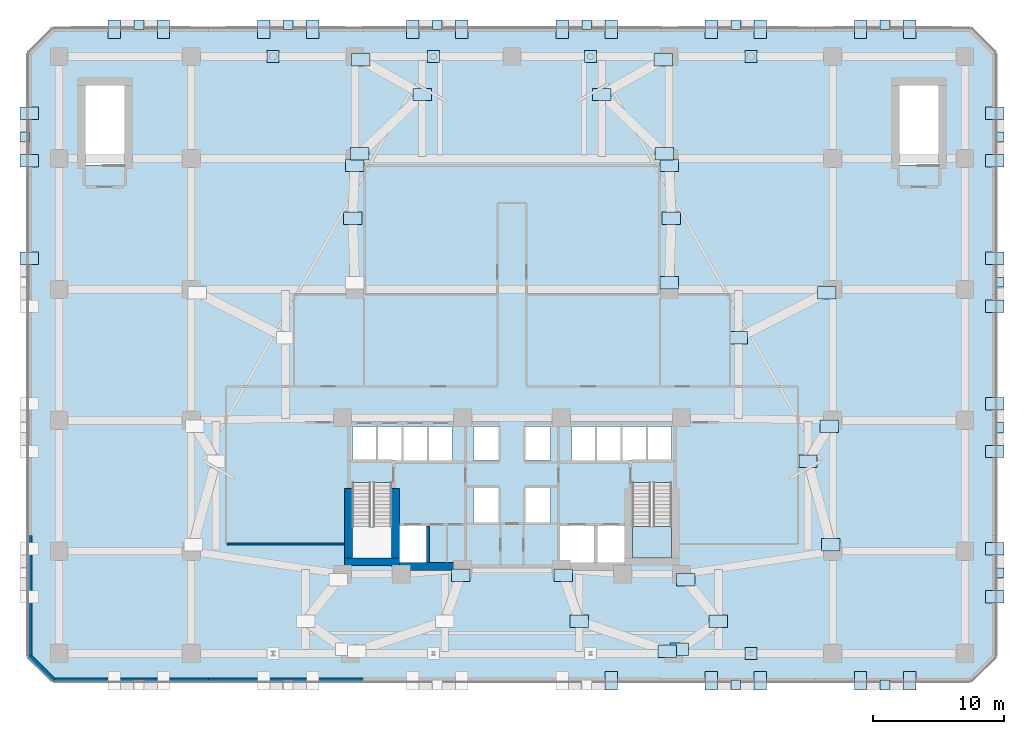
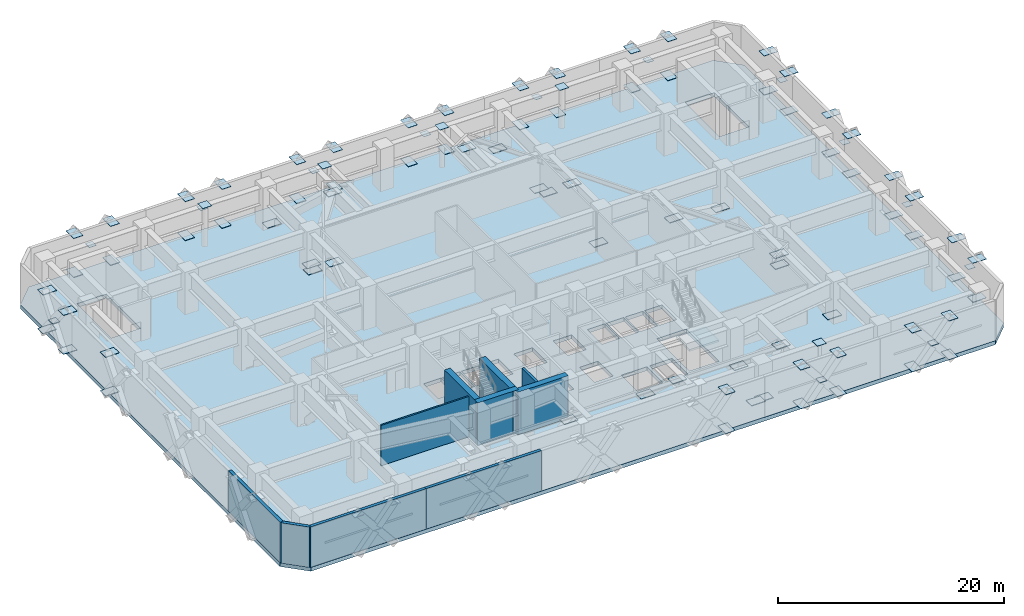
# One storey, part 8 of 14: 97 plates, 10 walls, 2 slabs, 1 element without a shape of its own.
"""IFC4 building model written with IfcOpenShell, lengths in metres."""

from ifc_helpers import new_model, si_unit, direction, frame, frame_2d, origin, origin_2d, place, context, subcontext, project, spatial, polyline, rectangle, outline, extrude, material, layer, layer_set, type_object, element, aggregate, save


model = new_model("IFC4")

# Units and contexts
model_context = context("Model", 3, precision=1e-05, world=origin(), true_north=direction((0.0, 1.0)))
body_context = subcontext(model_context, "Body", "Model", "MODEL_VIEW")
ifc_project = project(units=[si_unit("LENGTHUNIT", "METRE"), si_unit("AREAUNIT", "SQUARE_METRE"), si_unit("VOLUMEUNIT", "CUBIC_METRE"), si_unit("PLANEANGLEUNIT", "RADIAN"), si_unit("MASSUNIT", "GRAM", prefix="KILO")], contexts=[model_context])

# Site, building, storey
site_placement = place(None, origin())
site = spatial("IfcSite", under=ifc_project, at=site_placement, CompositionType="ELEMENT")
building_placement = place(site_placement, origin())
building = spatial("IfcBuilding", under=site, at=building_placement, Name="Quenlor Broadcast Tower", CompositionType="ELEMENT")
storey_placement = place(building_placement, frame((0.0, 0.0, 23.0)))
storey = spatial("IfcBuildingStorey", under=building, at=storey_placement, Name="L05", CompositionType="ELEMENT", Elevation=23.0)

# Plates
ifc_material_1 = material(Name="Steel S355", Category="steel")
ifc_layer_1 = layer(ifc_material_1, 0.031982421875)
ifc_layer_set_1 = layer_set([ifc_layer_1], Name="Lower Zone Setback Steel S355 Kink Cap Plate 920x920x32")
plate_type_1 = type_object("IfcPlateType", Name="Lower Zone Setback Steel S355 Kink Cap Plate 920x920x32", PredefinedType="USERDEFINED", material=ifc_layer_set_1)
for number, where, z_axis, x_axis, name in (
    (1, (-18.25, 22.800048828125, 4.33984375), (0.0, 0.0, 1.0), (1.0, 0.0, 0.0), "L05 Station Column Top Cap Plate SCW1"),
    (2, (18.25, 22.800048828125, 4.33984375), (0.0, 0.0, 1.0), (1.0, 0.0, 0.0), "L05 Station Column Top Cap Plate SCE1"),
    (3, (-6.0, 22.800048828125, 4.33984375), (0.0, 0.0, 1.0), (1.0, 0.0, 0.0), "L05 Station Column Top Cap Plate SCW2"),
    (4, (6.0, 22.800048828125, 4.33984375), (0.0, 0.0, 1.0), (1.0, 0.0, 0.0), "L05 Station Column Top Cap Plate SCE2"),
    (5, (18.25, -22.800048828125, 4.33984375), (0.0, 0.0, 1.0), (1.0, 0.0, 0.0), "L05 Station Column Top Cap Plate SPE1"),
):
    element("IfcPlate", number, at=place(storey_placement, frame(where, z_axis=z_axis, x_axis=x_axis)), inside=storey, type_object=plate_type_1, Name=name, ObjectType="CAP PLATE", PredefinedType="USERDEFINED", context=body_context, shape_type="SweptSolid", body=[
        extrude(rectangle(XDim=0.919921875, YDim=0.919921875, at=origin_2d()), origin(), (0.0, 0.0, 1.0), 0.031982421875),
    ])
ifc_material_2 = material(Name="Steel S355", Category="steel")
ifc_layer_2 = layer(ifc_material_2, 0.028076171875)
ifc_layer_set_2 = layer_set([ifc_layer_2], Name="Perimeter Lattice Node Steel S355 Cap Plate 740x740x28")
plate_type_2 = type_object("IfcPlateType", Name="Perimeter Lattice Node Steel S355 Cap Plate 740x740x28", PredefinedType="USERDEFINED", material=ifc_layer_set_2)
for number, where, z_axis, x_axis, name in (
    (6, (28.5, -25.215087890625, 2.166015625), (0.0, 0.0, 1.0), (-1.0, 0.0, 0.0), "L05 Podium Diamond Crossing Node S-C1"),
    (7, (17.10009765625, -25.215087890625, 2.166015625), (0.0, 0.0, 1.0), (-1.0, 0.0, 0.0), "L05 Podium Diamond Crossing Node S-C2"),
    (8, (-28.5, 25.215087890625, 2.166015625), (0.0, 0.0, 1.0), (1.0, 0.0, 0.0), "L05 Podium Diamond Crossing Node N-C1"),
    (9, (-17.10009765625, 25.215087890625, 2.166015625), (0.0, 0.0, 1.0), (1.0, 0.0, 0.0), "L05 Podium Diamond Crossing Node N-C2"),
    (10, (-5.699951171875, 25.215087890625, 2.166015625), (0.0, 0.0, 1.0), (1.0, 0.0, 0.0), "L05 Podium Diamond Crossing Node N-C3"),
    (11, (5.699951171875, 25.215087890625, 2.166015625), (0.0, 0.0, 1.0), (1.0, 0.0, 0.0), "L05 Podium Diamond Crossing Node N-C4"),
    (12, (17.10009765625, 25.215087890625, 2.166015625), (0.0, 0.0, 1.0), (1.0, 0.0, 0.0), "L05 Podium Diamond Crossing Node N-C5"),
    (13, (28.5, 25.215087890625, 2.166015625), (0.0, 0.0, 1.0), (1.0, 0.0, 0.0), "L05 Podium Diamond Crossing Node N-C6"),
    (14, (-37.215087890625, 16.64990234375, 2.166015625), (0.0, 0.0, 1.0), (0.0, 1.0, 0.0), "L05 Podium Diamond Crossing Node W-C4"),
    (15, (37.215087890625, 16.64990234375, 2.166015625), (0.0, 0.0, 1.0), (0.0, -1.0, 0.0), "L05 Podium Diamond Crossing Node E-C1"),
    (16, (37.215087890625, 5.550048828125, 2.166015625), (0.0, 0.0, 1.0), (0.0, -1.0, 0.0), "L05 Podium Diamond Crossing Node E-C2"),
    (17, (37.215087890625, -5.550048828125, 2.166015625), (0.0, 0.0, 1.0), (0.0, -1.0, 0.0), "L05 Podium Diamond Crossing Node E-C3"),
    (18, (37.215087890625, -16.64990234375, 2.166015625), (0.0, 0.0, 1.0), (0.0, -1.0, 0.0), "L05 Podium Diamond Crossing Node E-C4"),
):
    element("IfcPlate", number, at=place(storey_placement, frame(where, z_axis=z_axis, x_axis=x_axis)), inside=storey, type_object=plate_type_2, Name=name, ObjectType="CAP PLATE", PredefinedType="USERDEFINED", context=body_context, shape_type="SweptSolid", body=[
        extrude(rectangle(XDim=0.739990234375, YDim=0.739990234375, at=origin_2d()), origin(), (0.0, 0.0, 1.0), 0.028076171875),
    ])

# Stair, slab
ifc_material_3 = material(Name="Precast concrete C40/50", Category="concrete")
stair_type = type_object("IfcStairType", Name="Precast Concrete C40/50 Dogleg Stair H460", PredefinedType="HALF_TURN_STAIR", material=ifc_material_3)
stair_placement = place(storey_placement, origin())
stair = element("IfcStair", 19, at=stair_placement, inside=storey, type_object=stair_type, Name="L05 East Core Fire-Isolated Exit Stair ST-2", PredefinedType="HALF_TURN_STAIR")
ifc_material_4 = material(Name="Precast concrete C40/50", Category="concrete")
ifc_layer_3 = layer(ifc_material_4, 0.199951171875)
ifc_layer_set_3 = layer_set([ifc_layer_3], Name="Precast Concrete C40/50 Stair Landing Slab 200")
slab_type_1 = type_object("IfcSlabType", Name="Precast Concrete C40/50 Stair Landing Slab 200", PredefinedType="LANDING", material=ifc_layer_set_3)
slab_1_placement = place(storey_placement, frame((0.0, 0.0, 2.10009765625)))
slab_1 = element("IfcSlab", 20, at=slab_1_placement, type_object=slab_type_1, Name="ST-2 landing 1", PredefinedType="LANDING", context=body_context, shape_type="SweptSolid", body=[
    extrude(outline(polyline([(9.199951171875, -13.110107421875), (9.199951171875, -15.5), (12.199951171875, -15.5), (12.199951171875, -13.110107421875), (9.199951171875, -13.110107421875)])), origin(), (0.0, 0.0, 1.0), 0.199951171875),
])
aggregate(stair, [slab_1])

# Slab
ifc_material_5 = material(Name="Concrete C65/80", Category="concrete")
ifc_layer_4 = layer(ifc_material_5, 0.419921875)
ifc_layer_set_4 = layer_set([ifc_layer_4], Name="Transfer Deck Concrete C65/80 Slab 420")
slab_type_2 = type_object("IfcSlabType", Name="Transfer Deck Concrete C65/80 Slab 420", PredefinedType="FLOOR", material=ifc_layer_set_4)
slab_2_placement = place(storey_placement, frame((0.0, 0.0, -0.419921875)))
element("IfcSlab", 21, at=slab_2_placement, inside=storey, type_object=slab_type_2, Name="L05 Structural Floor Slab", PredefinedType="FLOOR", context=body_context, shape_type="SweptSolid", body=[
    extrude(outline(polyline([(-35.0, -25.0), (35.0, -25.0), (37.0, -23.0), (37.0, 23.0), (35.0, 25.0), (-35.0, 25.0), (-37.0, 23.0), (-37.0, -23.0), (-35.0, -25.0)]), holes=[polyline([(-12.199951171875, -9.758056640625), (-12.199951171875, -15.5), (-9.199951171875, -15.5), (-9.199951171875, -9.758056640625), (-12.199951171875, -9.758056640625)]), polyline([(9.199951171875, -9.758056640625), (9.199951171875, -15.5), (12.199951171875, -15.5), (12.199951171875, -9.758056640625), (9.199951171875, -9.758056640625)]), polyline([(-29.60009765625, 14.508056640625), (-29.60009765625, 20.60009765625), (-32.60009765625, 20.60009765625), (-32.60009765625, 14.508056640625), (-29.60009765625, 14.508056640625)]), polyline([(32.60009765625, 14.508056640625), (32.60009765625, 20.60009765625), (29.60009765625, 20.60009765625), (29.60009765625, 14.508056640625), (32.60009765625, 14.508056640625)]), polyline([(-12.199951171875, -8.050048828125), (-10.39990234375, -8.050048828125), (-10.39990234375, -5.449951171875), (-12.199951171875, -5.449951171875), (-12.199951171875, -8.050048828125)]), polyline([(-10.25, -8.050048828125), (-8.449951171875, -8.050048828125), (-8.449951171875, -5.449951171875), (-10.25, -5.449951171875), (-10.25, -8.050048828125)]), polyline([(-8.300048828125, -8.050048828125), (-6.5, -8.050048828125), (-6.5, -5.449951171875), (-8.300048828125, -5.449951171875), (-8.300048828125, -8.050048828125)]), polyline([(-6.35009765625, -8.050048828125), (-4.550048828125, -8.050048828125), (-4.550048828125, -5.449951171875), (-6.35009765625, -5.449951171875), (-6.35009765625, -8.050048828125)]), polyline([(-2.949951171875, -8.050048828125), (-1.050048828125, -8.050048828125), (-1.050048828125, -5.449951171875), (-2.949951171875, -5.449951171875), (-2.949951171875, -8.050048828125)]), polyline([(1.050048828125, -8.050048828125), (2.949951171875, -8.050048828125), (2.949951171875, -5.449951171875), (1.050048828125, -5.449951171875), (1.050048828125, -8.050048828125)]), polyline([(-2.949951171875, -12.800048828125), (-1.050048828125, -12.800048828125), (-1.050048828125, -10.14990234375), (-2.949951171875, -10.14990234375), (-2.949951171875, -12.800048828125)]), polyline([(1.050048828125, -12.800048828125), (2.949951171875, -12.800048828125), (2.949951171875, -10.14990234375), (1.050048828125, -10.14990234375), (1.050048828125, -12.800048828125)]), polyline([(4.550048828125, -8.050048828125), (6.35009765625, -8.050048828125), (6.35009765625, -5.449951171875), (4.550048828125, -5.449951171875), (4.550048828125, -8.050048828125)]), polyline([(6.5, -8.050048828125), (8.300048828125, -8.050048828125), (8.300048828125, -5.449951171875), (6.5, -5.449951171875), (6.5, -8.050048828125)]), polyline([(8.449951171875, -8.050048828125), (10.25, -8.050048828125), (10.25, -5.449951171875), (8.449951171875, -5.449951171875), (8.449951171875, -8.050048828125)]), polyline([(10.39990234375, -8.050048828125), (12.199951171875, -8.050048828125), (12.199951171875, -5.449951171875), (10.39990234375, -5.449951171875), (10.39990234375, -8.050048828125)]), polyline([(-8.85009765625, -15.85009765625), (-6.550048828125, -15.85009765625), (-6.550048828125, -13.050048828125), (-8.85009765625, -13.050048828125), (-8.85009765625, -15.85009765625)]), polyline([(6.550048828125, -15.85009765625), (8.85009765625, -15.85009765625), (8.85009765625, -13.050048828125), (6.550048828125, -13.050048828125), (6.550048828125, -15.85009765625)]), polyline([(3.64990234375, -15.85009765625), (6.25, -15.85009765625), (6.25, -13.050048828125), (3.64990234375, -13.050048828125), (3.64990234375, -15.85009765625)])]), origin(), (0.0, 0.0, 1.0), 0.419921875),
])

# Plates
ifc_material_6 = material(Name="Steel S355", Category="steel")
ifc_layer_5 = layer(ifc_material_6, 0.035888671875)
ifc_layer_set_5 = layer_set([ifc_layer_5], Name="Transfer Truss Steel S355 Gusset Node Plate 1400x950x36")
plate_type_3 = type_object("IfcPlateType", Name="Transfer Truss Steel S355 Gusset Node Plate 1400x950x36", PredefinedType="SHEET", material=ifc_layer_set_5)
for number, where, z_axis, x_axis, name in (
    (22, (-3.9208984375, -16.84130859375, 0.1318359375), (0.0, 0.0, 1.0), (1.0, 0.0, 0.0), "L05 Transfer Base Gusset Plate TGN1 S2-2"),
    (23, (11.857666015625, -22.6328125, 0.1318359375), (0.0, 0.0, 1.0), (1.0, 0.0, 0.0), "L05 Transfer Base Gusset Plate TGN1 S3-1"),
    (24, (3.9208984375, -16.84130859375, 0.1318359375), (0.0, 0.0, 1.0), (1.0, 0.0, 0.0), "L05 Transfer Base Gusset Plate TGN1 S3-2"),
    (25, (5.140869140625, -20.35009765625, 3.48193359375), (0.0, 0.0, 1.0), (1.0, 0.0, 0.0), "L05 Transfer Node Gusset Plate TGN1 S3"),
    (26, (12.7724609375, -22.496826171875, 0.1318359375), (0.0, 0.0, 1.0), (1.0, 0.0, 0.0), "L05 Transfer Base Gusset Plate TGN1 S4-1"),
    (27, (13.270263671875, -17.15966796875, 0.1318359375), (0.0, 0.0, 1.0), (1.0, 0.0, 0.0), "L05 Transfer Base Gusset Plate TGN1 S4-2"),
    (28, (15.76513671875, -20.35009765625, 3.48193359375), (0.0, 0.0, 1.0), (1.0, 0.0, 0.0), "L05 Transfer Node Gusset Plate TGN1 S4"),
    (29, (24.3623046875, -14.49853515625, 0.1318359375), (0.0, 0.0, 1.0), (1.0, 0.0, 0.0), "L05 Transfer Base Gusset Plate TGN1 NE1-1"),
    (30, (24.23193359375, -5.445556640625, 0.1318359375), (0.0, 0.0, 1.0), (1.0, 0.0, 0.0), "L05 Transfer Base Gusset Plate TGN1 NE1-2"),
    (31, (22.6162109375, -8.132080078125, 3.48193359375), (0.0, 0.0, 1.0), (1.0, 0.0, 0.0), "L05 Transfer Node Gusset Plate TGN1 NE1"),
    (32, (24.037109375, 4.7626953125, 0.1318359375), (0.0, 0.0, 1.0), (1.0, 0.0, 0.0), "L05 Transfer Base Gusset Plate TGN1 NE2-2"),
    (33, (17.303955078125, 1.311767578125, 3.48193359375), (0.0, 0.0, 1.0), (1.0, 0.0, 0.0), "L05 Transfer Node Gusset Plate TGN1 NE2"),
    (34, (12.015625, 5.519775390625, 0.1318359375), (0.0, 0.0, 1.0), (1.0, 0.0, 0.0), "L05 Transfer Base Gusset Plate TGN1 NE3-1"),
    (35, (12.0185546875, 14.480224609375, 0.1318359375), (0.0, 0.0, 1.0), (1.0, 0.0, 0.0), "L05 Transfer Base Gusset Plate TGN1 NE3-2"),
    (36, (12.1630859375, 10.450927734375, 3.48193359375), (0.0, 0.0, 1.0), (1.0, 0.0, 0.0), "L05 Transfer Node Gusset Plate TGN1 NE3"),
    (37, (11.623046875, 15.3583984375, 0.1318359375), (0.0, 0.0, 1.0), (1.0, 0.0, 0.0), "L05 Transfer Base Gusset Plate TGN1 NE4-1"),
    (38, (11.547119140625, 22.54443359375, 0.1318359375), (0.0, 0.0, 1.0), (1.0, 0.0, 0.0), "L05 Transfer Base Gusset Plate TGN1 NE4-2"),
    (39, (6.850830078125, 19.894775390625, 3.48193359375), (0.0, 0.0, 1.0), (1.0, 0.0, 0.0), "L05 Transfer Node Gusset Plate TGN1 NE4"),
    (40, (-11.623046875, 15.3583984375, 0.1318359375), (0.0, 0.0, 1.0), (1.0, 0.0, 0.0), "L05 Transfer Base Gusset Plate TGN1 NW1-1"),
    (41, (-11.547119140625, 22.54443359375, 0.1318359375), (0.0, 0.0, 1.0), (1.0, 0.0, 0.0), "L05 Transfer Base Gusset Plate TGN1 NW1-2"),
    (42, (-6.850830078125, 19.894775390625, 3.48193359375), (0.0, 0.0, 1.0), (1.0, 0.0, 0.0), "L05 Transfer Node Gusset Plate TGN1 NW1"),
    (43, (-12.0185546875, 14.480224609375, 0.1318359375), (0.0, 0.0, 1.0), (1.0, 0.0, 0.0), "L05 Transfer Base Gusset Plate TGN1 NW2-2"),
    (44, (-12.1630859375, 10.450927734375, 3.48193359375), (0.0, 0.0, 1.0), (1.0, 0.0, 0.0), "L05 Transfer Node Gusset Plate TGN1 NW2"),
    (45, (30.377197265625, -24.8798828125, 0.0419921875), (0.0, 0.0, 1.0), (0.0, -1.0, 0.0), "L05 Podium Lattice Tie Gusset S-B1"),
    (46, (26.622802734375, -24.8798828125, 4.2421875), (0.0, 0.0, 1.0), (0.0, -1.0, 0.0), "L05 Podium Lattice Tie Gusset S-T2"),
    (47, (26.622802734375, -24.8798828125, 0.0419921875), (0.0, 0.0, 1.0), (0.0, -1.0, 0.0), "L05 Podium Lattice Tie Gusset S-B2"),
    (48, (30.377197265625, -24.8798828125, 4.2421875), (0.0, 0.0, 1.0), (0.0, -1.0, 0.0), "L05 Podium Lattice Tie Gusset S-T1"),
    (49, (18.977294921875, -24.8798828125, 0.0419921875), (0.0, 0.0, 1.0), (0.0, -1.0, 0.0), "L05 Podium Lattice Tie Gusset S-B4"),
    (50, (15.222900390625, -24.8798828125, 4.2421875), (0.0, 0.0, 1.0), (0.0, -1.0, 0.0), "L05 Podium Lattice Tie Gusset S-T5"),
    (51, (15.222900390625, -24.8798828125, 0.0419921875), (0.0, 0.0, 1.0), (0.0, -1.0, 0.0), "L05 Podium Lattice Tie Gusset S-B5"),
    (52, (18.977294921875, -24.8798828125, 4.2421875), (0.0, 0.0, 1.0), (0.0, -1.0, 0.0), "L05 Podium Lattice Tie Gusset S-T4"),
    (53, (7.5771484375, -24.8798828125, 0.0419921875), (0.0, 0.0, 1.0), (0.0, -1.0, 0.0), "L05 Podium Lattice Tie Gusset S-B7"),
    (54, (7.5771484375, -24.8798828125, 4.2421875), (0.0, 0.0, 1.0), (0.0, -1.0, 0.0), "L05 Podium Lattice Tie Gusset S-T7"),
    (55, (-30.377197265625, 24.8798828125, 0.0419921875), (0.0, 0.0, 1.0), (0.0, 1.0, 0.0), "L05 Podium Lattice Tie Gusset N-B1"),
    (56, (-26.622802734375, 24.8798828125, 4.2421875), (0.0, 0.0, 1.0), (0.0, 1.0, 0.0), "L05 Podium Lattice Tie Gusset N-T2"),
    (57, (-26.622802734375, 24.8798828125, 0.0419921875), (0.0, 0.0, 1.0), (0.0, 1.0, 0.0), "L05 Podium Lattice Tie Gusset N-B2"),
    (58, (-30.377197265625, 24.8798828125, 4.2421875), (0.0, 0.0, 1.0), (0.0, 1.0, 0.0), "L05 Podium Lattice Tie Gusset N-T1"),
    (59, (-18.977294921875, 24.8798828125, 0.0419921875), (0.0, 0.0, 1.0), (0.0, 1.0, 0.0), "L05 Podium Lattice Tie Gusset N-B4"),
    (60, (-15.222900390625, 24.8798828125, 4.2421875), (0.0, 0.0, 1.0), (0.0, 1.0, 0.0), "L05 Podium Lattice Tie Gusset N-T5"),
    (61, (-15.222900390625, 24.8798828125, 0.0419921875), (0.0, 0.0, 1.0), (0.0, 1.0, 0.0), "L05 Podium Lattice Tie Gusset N-B5"),
    (62, (-18.977294921875, 24.8798828125, 4.2421875), (0.0, 0.0, 1.0), (0.0, 1.0, 0.0), "L05 Podium Lattice Tie Gusset N-T4"),
    (63, (-7.5771484375, 24.8798828125, 0.0419921875), (0.0, 0.0, 1.0), (0.0, 1.0, 0.0), "L05 Podium Lattice Tie Gusset N-B7"),
    (64, (-3.82275390625, 24.8798828125, 4.2421875), (0.0, 0.0, 1.0), (0.0, 1.0, 0.0), "L05 Podium Lattice Tie Gusset N-T8"),
    (65, (-3.82275390625, 24.8798828125, 0.0419921875), (0.0, 0.0, 1.0), (0.0, 1.0, 0.0), "L05 Podium Lattice Tie Gusset N-B8"),
    (66, (-7.5771484375, 24.8798828125, 4.2421875), (0.0, 0.0, 1.0), (0.0, 1.0, 0.0), "L05 Podium Lattice Tie Gusset N-T7"),
    (67, (3.82275390625, 24.8798828125, 0.0419921875), (0.0, 0.0, 1.0), (0.0, 1.0, 0.0), "L05 Podium Lattice Tie Gusset N-B10"),
    (68, (7.5771484375, 24.8798828125, 4.2421875), (0.0, 0.0, 1.0), (0.0, 1.0, 0.0), "L05 Podium Lattice Tie Gusset N-T11"),
    (69, (7.5771484375, 24.8798828125, 0.0419921875), (0.0, 0.0, 1.0), (0.0, 1.0, 0.0), "L05 Podium Lattice Tie Gusset N-B11"),
    (70, (3.82275390625, 24.8798828125, 4.2421875), (0.0, 0.0, 1.0), (0.0, 1.0, 0.0), "L05 Podium Lattice Tie Gusset N-T10"),
    (71, (15.222900390625, 24.8798828125, 0.0419921875), (0.0, 0.0, 1.0), (0.0, 1.0, 0.0), "L05 Podium Lattice Tie Gusset N-B13"),
    (72, (18.977294921875, 24.8798828125, 4.2421875), (0.0, 0.0, 1.0), (0.0, 1.0, 0.0), "L05 Podium Lattice Tie Gusset N-T14"),
    (73, (18.977294921875, 24.8798828125, 0.0419921875), (0.0, 0.0, 1.0), (0.0, 1.0, 0.0), "L05 Podium Lattice Tie Gusset N-B14"),
    (74, (15.222900390625, 24.8798828125, 4.2421875), (0.0, 0.0, 1.0), (0.0, 1.0, 0.0), "L05 Podium Lattice Tie Gusset N-T13"),
    (75, (26.622802734375, 24.8798828125, 0.0419921875), (0.0, 0.0, 1.0), (0.0, 1.0, 0.0), "L05 Podium Lattice Tie Gusset N-B16"),
    (76, (30.377197265625, 24.8798828125, 4.2421875), (0.0, 0.0, 1.0), (0.0, 1.0, 0.0), "L05 Podium Lattice Tie Gusset N-T17"),
    (77, (30.377197265625, 24.8798828125, 0.0419921875), (0.0, 0.0, 1.0), (0.0, 1.0, 0.0), "L05 Podium Lattice Tie Gusset N-B17"),
    (78, (26.622802734375, 24.8798828125, 4.2421875), (0.0, 0.0, 1.0), (0.0, 1.0, 0.0), "L05 Podium Lattice Tie Gusset N-T16"),
    (79, (-36.8798828125, 7.377685546875, 4.2421875), (0.0, 0.0, 1.0), (-1.0, 0.0, 0.0), "L05 Podium Lattice Tie Gusset W-T8"),
    (80, (-36.8798828125, 7.377685546875, 0.0419921875), (0.0, 0.0, 1.0), (-1.0, 0.0, 0.0), "L05 Podium Lattice Tie Gusset W-B8"),
    (81, (-36.8798828125, 14.822265625, 0.0419921875), (0.0, 0.0, 1.0), (-1.0, 0.0, 0.0), "L05 Podium Lattice Tie Gusset W-B10"),
    (82, (-36.8798828125, 18.477783203125, 4.2421875), (0.0, 0.0, 1.0), (-1.0, 0.0, 0.0), "L05 Podium Lattice Tie Gusset W-T11"),
    (83, (-36.8798828125, 18.477783203125, 0.0419921875), (0.0, 0.0, 1.0), (-1.0, 0.0, 0.0), "L05 Podium Lattice Tie Gusset W-B11"),
    (84, (-36.8798828125, 14.822265625, 4.2421875), (0.0, 0.0, 1.0), (-1.0, 0.0, 0.0), "L05 Podium Lattice Tie Gusset W-T10"),
    (85, (36.8798828125, 18.477783203125, 0.0419921875), (0.0, 0.0, 1.0), (1.0, 0.0, 0.0), "L05 Podium Lattice Tie Gusset E-B1"),
    (86, (36.8798828125, 14.822265625, 4.2421875), (0.0, 0.0, 1.0), (1.0, 0.0, 0.0), "L05 Podium Lattice Tie Gusset E-T2"),
    (87, (36.8798828125, 14.822265625, 0.0419921875), (0.0, 0.0, 1.0), (1.0, 0.0, 0.0), "L05 Podium Lattice Tie Gusset E-B2"),
    (88, (36.8798828125, 18.477783203125, 4.2421875), (0.0, 0.0, 1.0), (1.0, 0.0, 0.0), "L05 Podium Lattice Tie Gusset E-T1"),
    (89, (36.8798828125, 7.377685546875, 0.0419921875), (0.0, 0.0, 1.0), (1.0, 0.0, 0.0), "L05 Podium Lattice Tie Gusset E-B4"),
    (90, (36.8798828125, 3.72216796875, 4.2421875), (0.0, 0.0, 1.0), (1.0, 0.0, 0.0), "L05 Podium Lattice Tie Gusset E-T5"),
    (91, (36.8798828125, 3.72216796875, 0.0419921875), (0.0, 0.0, 1.0), (1.0, 0.0, 0.0), "L05 Podium Lattice Tie Gusset E-B5"),
    (92, (36.8798828125, 7.377685546875, 4.2421875), (0.0, 0.0, 1.0), (1.0, 0.0, 0.0), "L05 Podium Lattice Tie Gusset E-T4"),
    (93, (36.8798828125, -3.72216796875, 0.0419921875), (0.0, 0.0, 1.0), (1.0, 0.0, 0.0), "L05 Podium Lattice Tie Gusset E-B7"),
    (94, (36.8798828125, -7.377685546875, 4.2421875), (0.0, 0.0, 1.0), (1.0, 0.0, 0.0), "L05 Podium Lattice Tie Gusset E-T8"),
    (95, (36.8798828125, -7.377685546875, 0.0419921875), (0.0, 0.0, 1.0), (1.0, 0.0, 0.0), "L05 Podium Lattice Tie Gusset E-B8"),
    (96, (36.8798828125, -3.72216796875, 4.2421875), (0.0, 0.0, 1.0), (1.0, 0.0, 0.0), "L05 Podium Lattice Tie Gusset E-T7"),
    (97, (36.8798828125, -14.822265625, 0.0419921875), (0.0, 0.0, 1.0), (1.0, 0.0, 0.0), "L05 Podium Lattice Tie Gusset E-B10"),
    (98, (36.8798828125, -18.477783203125, 4.2421875), (0.0, 0.0, 1.0), (1.0, 0.0, 0.0), "L05 Podium Lattice Tie Gusset E-T11"),
    (99, (36.8798828125, -18.477783203125, 0.0419921875), (0.0, 0.0, 1.0), (1.0, 0.0, 0.0), "L05 Podium Lattice Tie Gusset E-B11"),
    (100, (36.8798828125, -14.822265625, 4.2421875), (0.0, 0.0, 1.0), (1.0, 0.0, 0.0), "L05 Podium Lattice Tie Gusset E-T10"),
):
    element("IfcPlate", number, at=place(storey_placement, frame(where, z_axis=z_axis, x_axis=x_axis)), inside=storey, type_object=plate_type_3, Name=name, PredefinedType="SHEET", context=body_context, shape_type="SweptSolid", body=[
        extrude(rectangle(XDim=1.39990234375, YDim=0.949951171875, at=origin_2d()), origin(), (0.0, 0.0, 1.0), 0.035888671875),
    ])

# Walls
ifc_material_7 = material(Name="Concrete C65/80", Category="concrete")
ifc_layer_6 = layer(ifc_material_7, 0.60009765625)
ifc_layer_set_6 = layer_set([ifc_layer_6], Name="Core Concrete C65/80 Shear Wall 600")
wall_type_1 = type_object("IfcWallType", Name="Core Concrete C65/80 Shear Wall 600", PredefinedType="SHEAR", material=ifc_layer_set_6)
wall_1_placement = place(storey_placement, frame((-12.800048828125, -15.800048828125, 0.0), z_axis=(0.0, 0.0, 1.0), x_axis=(1.0, 0.0, 0.0)))
element("IfcWall", 101, at=wall_1_placement, inside=storey, type_object=wall_type_1, Name="L05 Core Shear Wall WS-W1", PredefinedType="SHEAR", context=body_context, shape_type="SweptSolid", body=[
    extrude(rectangle(XDim=4.199951171875, YDim=0.60009765625, at=frame_2d((2.10009765625, 0.0))), origin(), (0.0, 0.0, 1.0), 4.60009765625),
])
wall_2_placement = place(storey_placement, frame((-8.89990234375, -16.14990234375, 0.0), z_axis=(0.0, 0.0, 1.0), x_axis=(1.0, 0.0, 0.0)))
element("IfcWall", 102, at=wall_2_placement, inside=storey, type_object=wall_type_1, Name="L05 Core Shear Wall WS-W2", PredefinedType="SHEAR", context=body_context, shape_type="SweptSolid", body=[
    extrude(rectangle(XDim=5.14990234375, YDim=0.60009765625, at=frame_2d((2.574951171875, 0.0))), origin(), (0.0, 0.0, 1.0), 4.60009765625),
])
wall_3_placement = place(storey_placement, frame((-12.5, -15.800048828125, 0.0), z_axis=(0.0, 0.0, 1.0), x_axis=(0.0, 1.0, 0.0)))
element("IfcWall", 103, at=wall_3_placement, inside=storey, type_object=wall_type_1, Name="L05 Core Shear Wall WF-W", PredefinedType="SHEAR", context=body_context, shape_type="SweptSolid", body=[
    extrude(rectangle(XDim=5.60009765625, YDim=0.60009765625, at=frame_2d((2.800048828125, 0.0))), origin(), (0.0, 0.0, 1.0), 4.60009765625),
])
wall_4_placement = place(storey_placement, frame((-8.89990234375, -16.14990234375, 0.0), z_axis=(0.0, 0.0, 1.0), x_axis=(0.0, 1.0, 0.0)))
element("IfcWall", 104, at=wall_4_placement, inside=storey, type_object=wall_type_1, Name="L05 Core Shear Wall WI-W", PredefinedType="SHEAR", context=body_context, shape_type="SweptSolid", body=[
    extrude(rectangle(XDim=5.949951171875, YDim=0.60009765625, at=frame_2d((2.97509765625, 0.0))), origin(), (0.0, 0.0, 1.0), 4.60009765625),
])
ifc_material_8 = material(Name="Concrete C40/50", Category="concrete")
ifc_layer_7 = layer(ifc_material_8, 0.25)
ifc_layer_set_7 = layer_set([ifc_layer_7], Name="Fire Rated Concrete C40/50 Core Wall 250")
wall_type_2 = type_object("IfcWallType", Name="Fire Rated Concrete C40/50 Core Wall 250", PredefinedType="PARTITIONING", material=ifc_layer_set_7)
wall_5_placement = place(storey_placement, frame((-6.419921875, -15.847900390625, 0.0), z_axis=(0.0, 0.0, 1.0), x_axis=(0.0, 1.0, 0.0)))
element("IfcWall", 105, at=wall_5_placement, inside=storey, type_object=wall_type_2, Name="L05 Interior Wall CW-FF1-E", PredefinedType="PARTITIONING", context=body_context, shape_type="SweptSolid", body=[
    extrude(rectangle(XDim=2.7578125, YDim=0.25, at=frame_2d((1.37890625, 0.0))), origin(), (0.0, 0.0, 1.0), 4.35009765625),
])
ifc_material_9 = material(Name="Gypsum Fireboard Partition", Category="other")
ifc_layer_8 = layer(ifc_material_9, 0.159912109375)
ifc_layer_set_8 = layer_set([ifc_layer_8], Name="Fire Rated Shaft and Corridor Partition 160")
wall_type_3 = type_object("IfcWallType", Name="Fire Rated Shaft and Corridor Partition 160", PredefinedType="PARTITIONING", material=ifc_layer_set_8)
wall_6_placement = place(storey_placement, frame((-21.76806640625, -14.449951171875, 0.0), z_axis=(0.0, 0.0, 1.0), x_axis=(1.0, 0.0, 0.0)))
element("IfcWall", 106, at=wall_6_placement, inside=storey, type_object=wall_type_3, Name="L05 Interior Wall PW-L05-RW-S", PredefinedType="PARTITIONING", context=body_context, shape_type="SweptSolid", body=[
    extrude(rectangle(XDim=8.966064453125, YDim=0.159912109375, at=frame_2d((4.48291015625, 0.0))), origin(), (0.0, 0.0, 1.0), 4.35009765625),
])
ifc_material_10 = material(Name="Precast concrete C40/50", Category="concrete")
ifc_layer_9 = layer(ifc_material_10, 0.320068359375)
ifc_layer_set_9 = layer_set([ifc_layer_9], Name="Station Podium Precast Concrete C40/50 Facade Wall 320")
wall_type_4 = type_object("IfcWallType", Name="Station Podium Precast Concrete C40/50 Facade Wall 320", PredefinedType="STANDARD", material=ifc_layer_set_9)
wall_7_placement = place(storey_placement, frame((-36.820068359375, -23.0, 0.0), z_axis=(0.0, 0.0, 1.0), x_axis=(0.0, 1.0, 0.0)))
element("IfcWall", 107, at=wall_7_placement, inside=storey, type_object=wall_type_4, Name="L05 Exterior Wall L05-EW-W1", PredefinedType="STANDARD", context=body_context, shape_type="SweptSolid", body=[
    extrude(rectangle(XDim=9.199951171875, YDim=0.320068359375, at=frame_2d((4.60009765625, 0.0))), origin(), (0.0, 0.0, 1.0), 4.35009765625),
])
wall_8_placement = place(storey_placement, frame((-35.0, -24.820068359375, 0.0), z_axis=(0.0, 0.0, 1.0), x_axis=(-0.707106781187, 0.707106781187, 0.0)))
element("IfcWall", 108, at=wall_8_placement, inside=storey, type_object=wall_type_4, Name="L05 Exterior Wall L05-EW-CSW", PredefinedType="STANDARD", context=body_context, shape_type="SweptSolid", body=[
    extrude(rectangle(XDim=2.573974609375, YDim=0.320068359375, at=frame_2d((1.287109375, 0.0))), origin(), (0.0, 0.0, 1.0), 4.35009765625),
])
ifc_material_11 = material(Name="Precast concrete C40/50", Category="concrete")
ifc_layer_10 = layer(ifc_material_11, 0.300048828125)
ifc_layer_set_10 = layer_set([ifc_layer_10], Name="Terracotta Precast Concrete C40/50 Spandrel Wall 300")
wall_type_5 = type_object("IfcWallType", Name="Terracotta Precast Concrete C40/50 Spandrel Wall 300", PredefinedType="STANDARD", material=ifc_layer_set_10)
for number, where, z_axis, x_axis, name in (
    (109, (-11.39990234375, -24.820068359375, 0.0), (0.0, 0.0, 1.0), (-1.0, 0.0, 0.0), "L05 Exterior Wall L05-EW-S4"),
    (110, (-23.199951171875, -24.820068359375, 0.0), (0.0, 0.0, 1.0), (-1.0, 0.0, 0.0), "L05 Exterior Wall L05-EW-S5"),
):
    element("IfcWall", number, at=place(storey_placement, frame(where, z_axis=z_axis, x_axis=x_axis)), inside=storey, type_object=wall_type_5, Name=name, PredefinedType="STANDARD", context=body_context, shape_type="SweptSolid", body=[
        extrude(rectangle(XDim=11.800048828125, YDim=0.300048828125, at=frame_2d((5.89990234375, 0.0))), origin(), (0.0, 0.0, 1.0), 4.35009765625),
    ])

save(model, "model.ifc")
